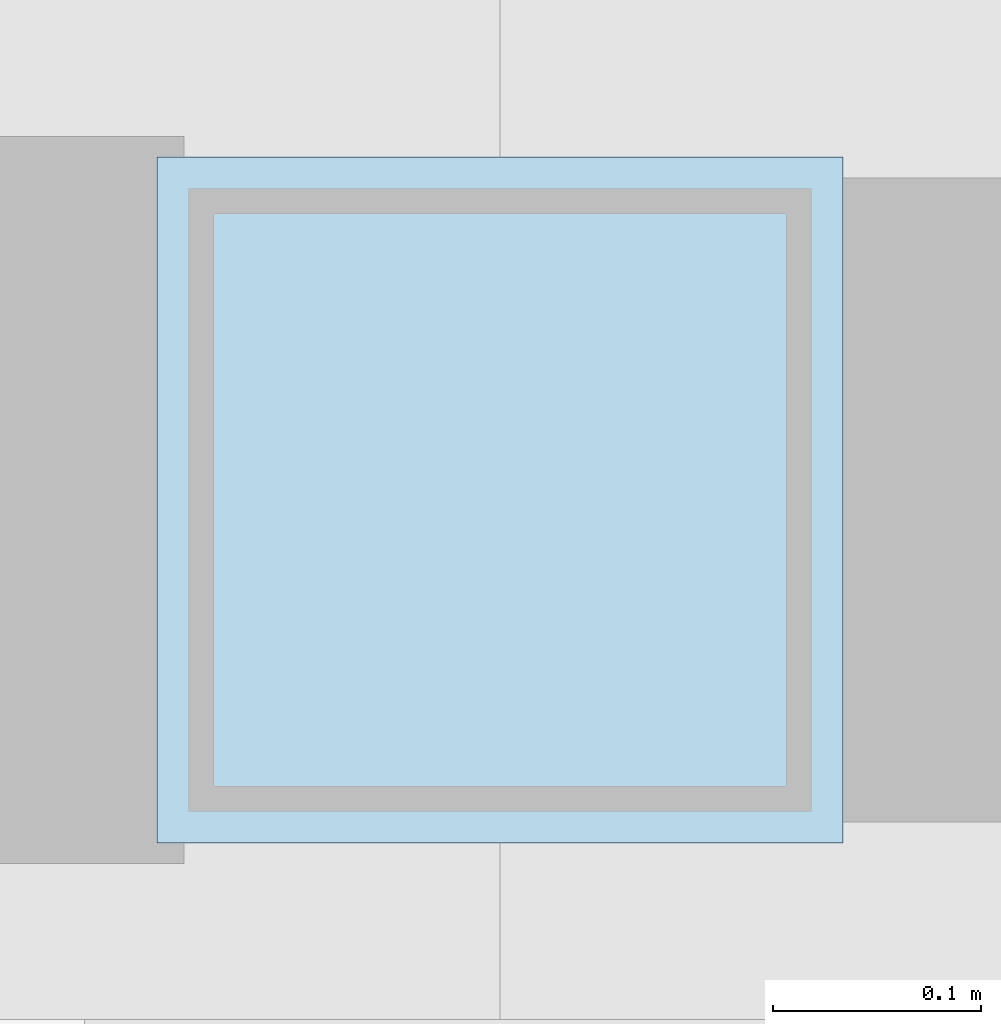
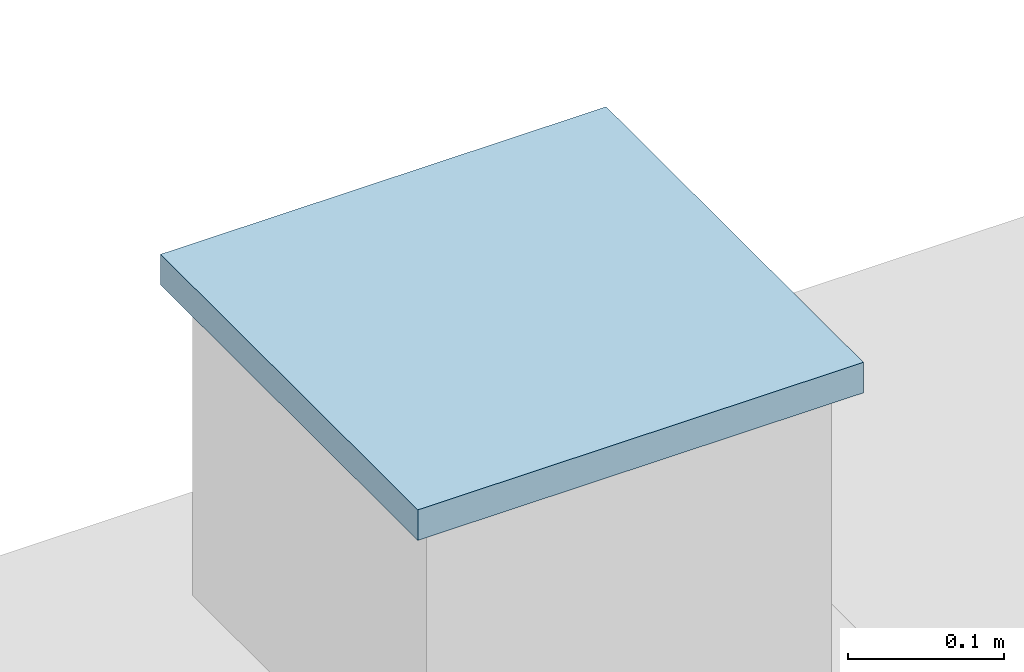
# One storey, part 78 of 106: 1 plate.
"""IFC4 building model written with IfcOpenShell, lengths in metres."""

from ifc_helpers import new_model, si_unit, direction, frame, origin, origin_2d, place, context, subcontext, project, spatial, rectangle, extrude, material, layer, layer_set, type_object, element, save


model = new_model("IFC4")

# Units and contexts
model_context = context("Model", 3, precision=1e-05, world=origin(), true_north=direction((0.0, 1.0)))
body_context = subcontext(model_context, "Body", "Model", "MODEL_VIEW")
ifc_project = project(units=[si_unit("LENGTHUNIT", "METRE"), si_unit("AREAUNIT", "SQUARE_METRE"), si_unit("VOLUMEUNIT", "CUBIC_METRE"), si_unit("PLANEANGLEUNIT", "RADIAN"), si_unit("MASSUNIT", "GRAM", prefix="KILO"), si_unit("POWERUNIT", "WATT"), si_unit("THERMODYNAMICTEMPERATUREUNIT", "KELVIN")], contexts=[model_context])

# Site, building, storey
site_placement = place(None, origin())
site = spatial("IfcSite", under=ifc_project, at=site_placement, CompositionType="ELEMENT")
building_placement = place(site_placement, origin())
building = spatial("IfcBuilding", under=site, at=building_placement, Name="Kelmbourne Parkland Aquatics Centre", CompositionType="ELEMENT")
storey_placement = place(building_placement, frame((0.0, 0.0, 5.39990234375)))
storey = spatial("IfcBuildingStorey", under=building, at=storey_placement, Name="L01", CompositionType="ELEMENT", Elevation=5.39990234375)

# Plate
ifc_material = material(Name="Welded plate steel AS/NZS 3678 Grade 350", Category="steel")
ifc_layer = layer(ifc_material, 0.02392578125)
ifc_layer_set = layer_set([ifc_layer], Name="Welded plate steel AS/NZS 3678 Grade 350")
plate_type = type_object("IfcPlateType", Name="PL-CAP-24", PredefinedType="USERDEFINED", material=ifc_layer_set)
plate_placement = place(storey_placement, frame((16.0, 92.0, 4.799072265625), z_axis=(0.0, 0.0, 1.0), x_axis=(1.0, 0.0, 0.0)))
element("IfcPlate", 1, at=plate_placement, inside=storey, type_object=plate_type, Name="Hollow end cap plate CAP-0008", ObjectType="END CAP PLATE", PredefinedType="USERDEFINED", context=body_context, shape_type="SweptSolid", body=[
    extrude(rectangle(XDim=0.330078125, YDim=0.330078125, at=origin_2d()), origin(), (0.0, 0.0, 1.0), 0.02392578125),
])

save(model, "model.ifc")
